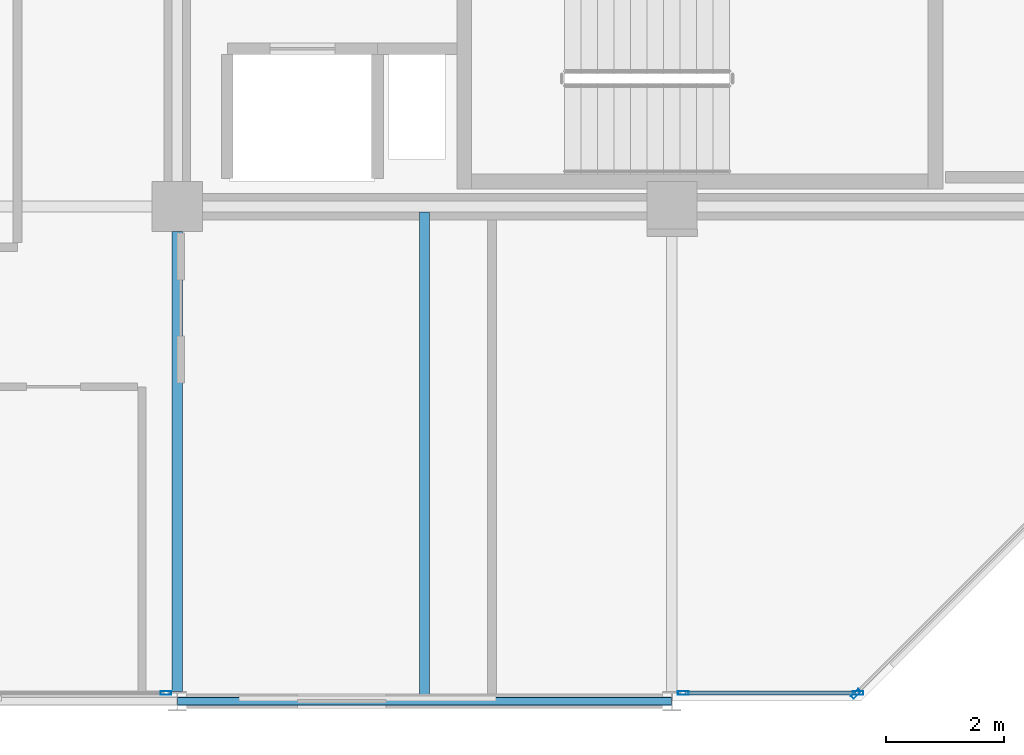
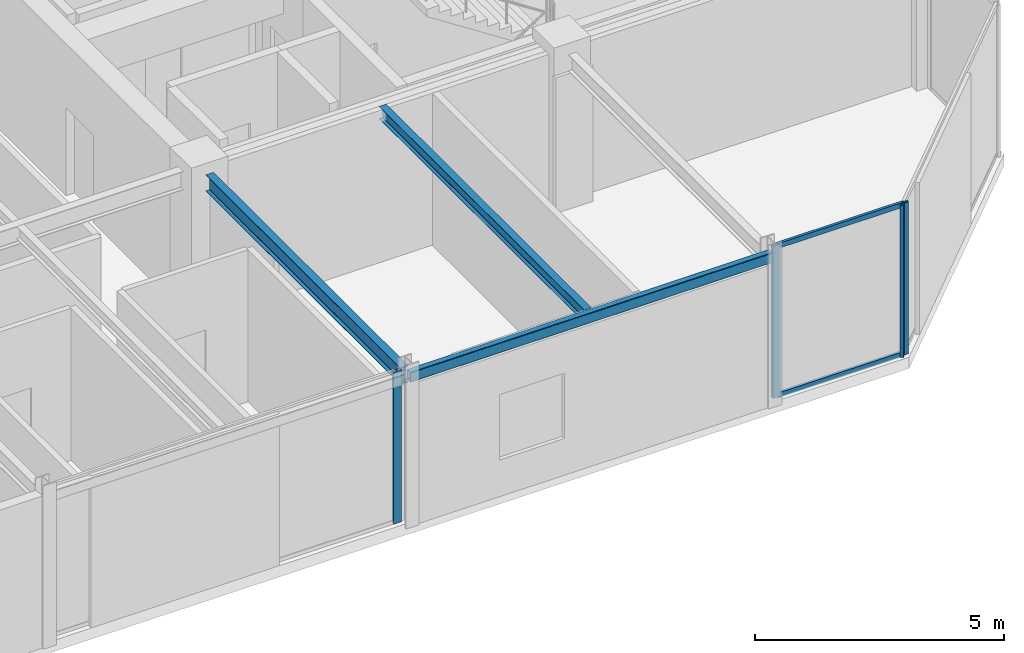
# One storey, part 7 of 24: 6 members, 3 beams, 3 elements without a shape of their own.
"""IFC4 building model written with IfcOpenShell, lengths in metres."""

from ifc_helpers import new_model, si_unit, direction, frame, origin, origin_2d, place, context, subcontext, project, spatial, hollow_rectangle, i_section, extrude, material, layer, layer_set, material_profile, profile_set, type_object, element, aggregate, save


model = new_model("IFC4")

# Units and contexts
model_context = context("Model", 3, precision=1e-05, world=origin(), true_north=direction((0.0, 1.0)))
body_context = subcontext(model_context, "Body", "Model", "MODEL_VIEW")
ifc_project = project(units=[si_unit("LENGTHUNIT", "METRE"), si_unit("AREAUNIT", "SQUARE_METRE"), si_unit("VOLUMEUNIT", "CUBIC_METRE"), si_unit("PLANEANGLEUNIT", "RADIAN"), si_unit("MASSUNIT", "GRAM", prefix="KILO")], contexts=[model_context])

# Site, building, storey
site_placement = place(None, origin())
site = spatial("IfcSite", under=ifc_project, at=site_placement, CompositionType="ELEMENT")
building_placement = place(site_placement, origin())
building = spatial("IfcBuilding", under=site, at=building_placement, Name="Nerrivon Quay Data Exchange", CompositionType="ELEMENT")
storey_placement = place(building_placement, frame((0.0, 0.0, 294.199951171875)))
storey = spatial("IfcBuildingStorey", under=building, at=storey_placement, Name="L70", CompositionType="ELEMENT", Elevation=294.199951171875)

# Beams
ifc_material_1 = material(Name="Steel Grade 350", Category="steel")
ifc_material_profile_1 = material_profile(ifc_material_1, i_section(OverallWidth=0.177978515625, OverallDepth=0.406005859375, WebThickness=0.0078125, FlangeThickness=0.0126953125, FilletRadius=0.011474609375, at=origin_2d()), Name="410UB59.7")
ifc_profile_set_1 = profile_set([ifc_material_profile_1], Name="Steel Grade 350")
beam_type_1 = type_object("IfcBeamType", Name="BM-J1-410UB60", PredefinedType="JOIST", material=ifc_profile_set_1)
beam_1_placement = place(storey_placement, frame((16.800048828125, 0.16357421875, 3.52197265625), z_axis=(0.0, 1.0, 0.0), x_axis=(-1.0, 0.0, 0.0)))
element("IfcBeam", 1, at=beam_1_placement, inside=storey, type_object=beam_type_1, Name="L70 NS Girder X=16.8 (0.0..8.4)", PredefinedType="JOIST", context=body_context, shape_type="SweptSolid", body=[
    extrude(i_section(OverallWidth=0.177978515625, OverallDepth=0.406005859375, WebThickness=0.0078125, FlangeThickness=0.0126953125, FilletRadius=0.011474609375, at=origin_2d()), origin(), (0.0, 0.0, 1.0), 7.8115234375),
])
ifc_material_profile_2 = material_profile(ifc_material_1, i_section(OverallWidth=0.1650390625, OverallDepth=0.303955078125, WebThickness=0.006103515625, FlangeThickness=0.01025390625, FilletRadius=0.011474609375, at=origin_2d()), Name="310UB40.4")
ifc_profile_set_2 = profile_set([ifc_material_profile_2], Name="Steel Grade 350")
beam_type_2 = type_object("IfcBeamType", Name="BM-J6-310UB40", PredefinedType="JOIST", material=ifc_profile_set_2)
beam_2_placement = place(storey_placement, frame((21.0, 0.074951171875, 3.572998046875), z_axis=(0.0, 1.0, 0.0), x_axis=(-1.0, 0.0, 0.0)))
element("IfcBeam", 2, at=beam_2_placement, inside=storey, type_object=beam_type_2, Name="L70 Secondary Joist X=21.0 (0.0..8.4)", PredefinedType="JOIST", context=body_context, shape_type="SweptSolid", body=[
    extrude(i_section(OverallWidth=0.1650390625, OverallDepth=0.303955078125, WebThickness=0.006103515625, FlangeThickness=0.01025390625, FilletRadius=0.011474609375, at=origin_2d()), origin(), (0.0, 0.0, 1.0), 8.22998046875),
])
ifc_material_2 = material(Name="Steel Grade C350L0 (350 MPa)", Category="steel")
ifc_material_profile_3 = material_profile(ifc_material_2, hollow_rectangle(XDim=0.14990234375, YDim=0.25, WallThickness=0.009033203125, InnerFilletRadius=0.013427734375, OuterFilletRadius=0.0224609375, at=origin_2d()), Name="250x150x9.0RHS")
ifc_profile_set_3 = profile_set([ifc_material_profile_3], Name="Steel Grade C350L0 (350 MPa)")
beam_type_3 = type_object("IfcBeamType", Name="BM-SP4-250x150RHS", PredefinedType="SPANDREL", material=ifc_profile_set_3)
beam_3_placement = place(storey_placement, frame((16.807861328125, 0.0, 3.60009765625), z_axis=(1.0, 0.0, 0.0), x_axis=(0.0, 1.0, 0.0)))
element("IfcBeam", 3, at=beam_3_placement, inside=storey, type_object=beam_type_3, Name="L70 EW Girder Y=0.0 (16.8..25.2)", PredefinedType="SPANDREL", context=body_context, shape_type="SweptSolid", body=[
    extrude(hollow_rectangle(XDim=0.14990234375, YDim=0.25, WallThickness=0.009033203125, InnerFilletRadius=0.013427734375, OuterFilletRadius=0.0224609375, at=origin_2d()), origin(), (0.0, 0.0, 1.0), 8.38427734375),
])

# Curtain wall, member
ifc_material_3 = material(Name="Anodised aluminium 6063-T6", Category="aluminium")
ifc_layer = layer(ifc_material_3, 0.195068359375)
ifc_layer_set = layer_set([ifc_layer], Name="Anodised aluminium 6063-T6")
curtain_wall_type = type_object("IfcCurtainWallType", Name="CW-SYS-06", PredefinedType="NOTDEFINED", material=ifc_layer_set)
curtain_wall_1_placement = place(storey_placement, origin())
curtain_wall_1 = element("IfcCurtainWall", 4, at=curtain_wall_1_placement, inside=storey, type_object=curtain_wall_type, Name="L70 Unitised Curtain Wall 1", PredefinedType="NOTDEFINED")
ifc_material_profile_4 = material_profile(ifc_material_3, hollow_rectangle(XDim=0.06494140625, YDim=0.179931640625, WallThickness=0.00341796875, at=origin_2d()), Name="ALU-MULL-180x65")
ifc_profile_set_4 = profile_set([ifc_material_profile_4], Name="Anodised aluminium 6063-T6")
member_type_1 = type_object("IfcMemberType", Name="CWM-180x65", PredefinedType="MULLION", material=ifc_profile_set_4)
member_1_placement = place(storey_placement, frame((28.32763671875, 0.12548828125, 0.0), z_axis=(0.0, 0.0, 1.0), x_axis=(0.707106781187, -0.707106781187, 0.0)))
member_1 = element("IfcMember", 5, at=member_1_placement, type_object=member_type_1, Name="CW06 mullion 2", PredefinedType="MULLION", context=body_context, shape_type="SweptSolid", body=[
    extrude(hollow_rectangle(XDim=0.06494140625, YDim=0.179931640625, WallThickness=0.00341796875, at=origin_2d()), origin(), (0.0, 0.0, 1.0), 3.72509765625),
])
aggregate(curtain_wall_1, [member_1])

# Curtain wall, members
curtain_wall_2_placement = place(storey_placement, origin())
curtain_wall_2 = element("IfcCurtainWall", 6, at=curtain_wall_2_placement, inside=storey, type_object=curtain_wall_type, Name="L70 Unitised Curtain Wall 2", PredefinedType="NOTDEFINED")
member_2_placement = place(storey_placement, frame((28.362548828125, 0.139892578125, 0.0), z_axis=(0.0, 0.0, 1.0), x_axis=(0.0, -1.0, 0.0)))
member_2 = element("IfcMember", 7, at=member_2_placement, type_object=member_type_1, Name="CW06 mullion 1", PredefinedType="MULLION", context=body_context, shape_type="SweptSolid", body=[
    extrude(hollow_rectangle(XDim=0.06494140625, YDim=0.179931640625, WallThickness=0.00341796875, at=origin_2d()), origin(), (0.0, 0.0, 1.0), 3.72509765625),
])
member_3_placement = place(storey_placement, frame((25.39306640625, 0.139892578125, 0.0), z_axis=(0.0, 0.0, 1.0), x_axis=(0.0, -1.0, 0.0)))
member_3 = element("IfcMember", 8, at=member_3_placement, type_object=member_type_1, Name="CW06 mullion 2", PredefinedType="MULLION", context=body_context, shape_type="SweptSolid", body=[
    extrude(hollow_rectangle(XDim=0.06494140625, YDim=0.179931640625, WallThickness=0.00341796875, at=origin_2d()), origin(), (0.0, 0.0, 1.0), 3.72509765625),
])

# Curtain wall, member
curtain_wall_3_placement = place(storey_placement, origin())
curtain_wall_3 = element("IfcCurtainWall", 9, at=curtain_wall_3_placement, inside=storey, type_object=curtain_wall_type, Name="L70 Unitised Curtain Wall 4", PredefinedType="NOTDEFINED")
member_4_placement = place(storey_placement, frame((16.60693359375, 0.139892578125, 0.0), z_axis=(0.0, 0.0, 1.0), x_axis=(0.0, -1.0, 0.0)))
member_4 = element("IfcMember", 10, at=member_4_placement, type_object=member_type_1, Name="CW06 mullion 1", PredefinedType="MULLION", context=body_context, shape_type="SweptSolid", body=[
    extrude(hollow_rectangle(XDim=0.06494140625, YDim=0.179931640625, WallThickness=0.00341796875, at=origin_2d()), origin(), (0.0, 0.0, 1.0), 3.72509765625),
])
aggregate(curtain_wall_3, [member_4])

# Member
ifc_material_profile_5 = material_profile(ifc_material_3, hollow_rectangle(XDim=0.06005859375, YDim=0.1201171875, WallThickness=0.003173828125, at=origin_2d()), Name="ALU-TRAN-120x60")
ifc_profile_set_5 = profile_set([ifc_material_profile_5], Name="Anodised aluminium 6063-T6")
member_type_2 = type_object("IfcMemberType", Name="CWT-120x60", PredefinedType="USERDEFINED", material=ifc_profile_set_5)
member_5_placement = place(storey_placement, frame((28.324951171875, 0.139892578125, 0.032470703125), z_axis=(-1.0, 0.0, 0.0), x_axis=(0.0, -1.0, 0.0)))
member_5 = element("IfcMember", 11, at=member_5_placement, type_object=member_type_2, Name="CW06 transom 1.1", ObjectType="TRANSOM", PredefinedType="USERDEFINED", context=body_context, shape_type="SweptSolid", body=[
    extrude(hollow_rectangle(XDim=0.06005859375, YDim=0.1201171875, WallThickness=0.003173828125, at=origin_2d()), origin(), (0.0, 0.0, 1.0), 2.89453125),
])

member_6_placement = place(storey_placement, frame((28.324951171875, 0.139892578125, 3.692626953125), z_axis=(-1.0, 0.0, 0.0), x_axis=(0.0, -1.0, 0.0)))
member_6 = element("IfcMember", 12, at=member_6_placement, type_object=member_type_2, Name="CW06 transom 1.2", ObjectType="TRANSOM", PredefinedType="USERDEFINED", context=body_context, shape_type="SweptSolid", body=[
    extrude(hollow_rectangle(XDim=0.06005859375, YDim=0.1201171875, WallThickness=0.003173828125, at=origin_2d()), origin(), (0.0, 0.0, 1.0), 2.89453125),
])

aggregate(curtain_wall_2, [member_2, member_3, member_5, member_6])

save(model, "model.ifc")
